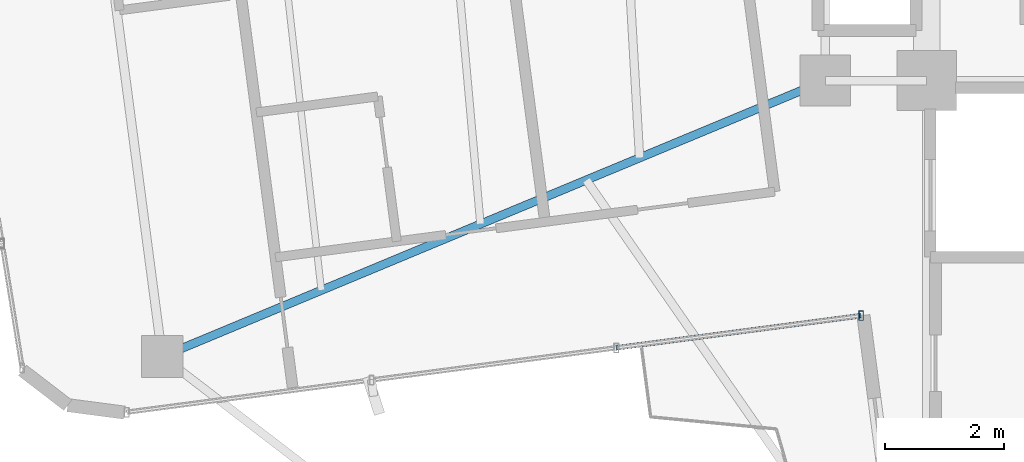
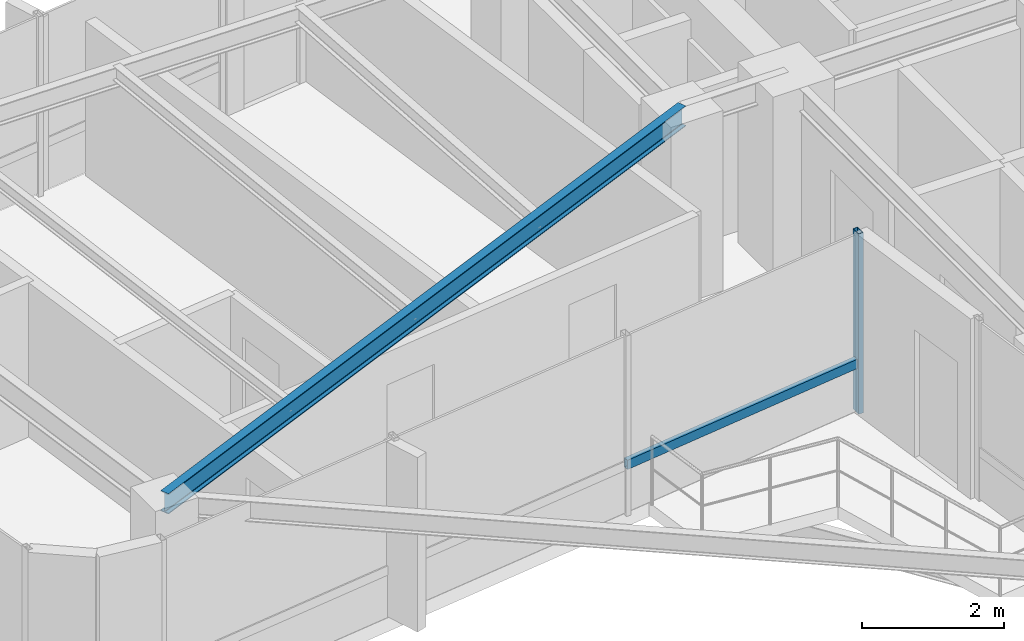
# One storey, part 3 of 21: 2 members, 1 beam, 1 element without a shape of its own.
"""IFC4 building model written with IfcOpenShell, lengths in metres."""

from ifc_helpers import new_model, si_unit, direction, frame, origin, origin_2d, place, context, subcontext, project, spatial, hollow_rectangle, i_section, extrude, source, transform, mapped, material, material_profile, profile_set, type_object, element, aggregate, save


model = new_model("IFC4")

# Units and contexts
model_context = context("Model", 3, precision=1e-05, world=origin(), true_north=direction((0.0, 1.0)))
body_context = subcontext(model_context, "Body", "Model", "MODEL_VIEW")
ifc_project = project(units=[si_unit("LENGTHUNIT", "METRE"), si_unit("AREAUNIT", "SQUARE_METRE"), si_unit("VOLUMEUNIT", "CUBIC_METRE"), si_unit("PLANEANGLEUNIT", "RADIAN"), si_unit("MASSUNIT", "GRAM", prefix="KILO")], contexts=[model_context])

# Site, building, storey
site_placement = place(None, origin())
site = spatial("IfcSite", under=ifc_project, at=site_placement, CompositionType="ELEMENT")
building_placement = place(site_placement, origin())
building = spatial("IfcBuilding", under=site, at=building_placement, Name="Sahyath Konkavel Grand Hotel", CompositionType="ELEMENT")
storey_placement = place(building_placement, frame((0.0, 0.0, 219.89990234375)))
storey = spatial("IfcBuildingStorey", under=building, at=storey_placement, Name="L61", CompositionType="ELEMENT", Elevation=219.89990234375)

# Beam
ifc_material_1 = material(Name="Steel E350", Category="steel")
ifc_material_profile_1 = material_profile(ifc_material_1, i_section(OverallWidth=0.139892578125, OverallDepth=0.35009765625, WebThickness=0.008056640625, FlangeThickness=0.01416015625, FilletRadius=0.013916015625, at=origin_2d()), Name="ISMB 350")
ifc_profile_set_1 = profile_set([ifc_material_profile_1], Name="Steel E350")
beam_type = type_object("IfcBeamType", Name="BM-ISMB350", PredefinedType="BEAM", material=ifc_profile_set_1)
shared_shape_1 = source(origin(), body_context, "Body", "SweptSolid", [
    extrude(i_section(OverallWidth=0.139892578125, OverallDepth=0.35009765625, WebThickness=0.008056640625, FlangeThickness=0.01416015625, FilletRadius=0.013916015625, at=origin_2d()), origin(), (0.0, 0.0, 1.0), 12.0361328125),
])
beam_placement = place(storey_placement, frame((-5.5, -2.39990234375, 2.93505859375), z_axis=(-0.923242469415, -0.384217832315, 0.0), x_axis=(0.384217832315, -0.923242469415, 0.0)))
element("IfcBeam", 1, at=beam_placement, inside=storey, type_object=beam_type, Name="L61 Cruciform Radial Girder WB", PredefinedType="BEAM", context=body_context, shape_type="MappedRepresentation", body=[
    mapped(shared_shape_1, transform((0.0, 0.0, 0.0), scale=1.0)),
])

# Curtain wall, members
ifc_material_2 = material(Name="Anodised Bronze Aluminium & Low-E Glazing", Category="aluminium")
curtain_wall_type = type_object("IfcCurtainWallType", Name="CW-ZONE4", PredefinedType="NOTDEFINED", material=ifc_material_2)
curtain_wall_placement = place(storey_placement, origin())
curtain_wall = element("IfcCurtainWall", 2, at=curtain_wall_placement, inside=storey, type_object=curtain_wall_type, Name="L61 Unitised Curtain Wall F23", PredefinedType="NOTDEFINED")
ifc_material_3 = material(Name="Anodised Bronze Aluminium", Category="aluminium")
ifc_material_profile_2 = material_profile(ifc_material_3, hollow_rectangle(XDim=0.080078125, YDim=0.159912109375, WallThickness=0.006103515625, at=origin_2d()), Name="RHS 160x80x6")
ifc_profile_set_2 = profile_set([ifc_material_profile_2], Name="Anodised Bronze Aluminium")
member_type_1 = type_object("IfcMemberType", Name="CW-MUL-160", PredefinedType="MULLION", material=ifc_profile_set_2)
shared_shape_2 = source(origin(), body_context, "Body", "SweptSolid", [
    extrude(hollow_rectangle(XDim=0.080078125, YDim=0.159912109375, WallThickness=0.006103515625, at=origin_2d()), origin(), (0.0, 0.0, 1.0), 3.110107421875),
])
member_1_placement = place(storey_placement, frame((-4.900390625, -6.33984375, 0.0), z_axis=(0.0, 0.0, 1.0), x_axis=(1.0, 0.0, 0.0)))
member_1 = element("IfcMember", 3, at=member_1_placement, type_object=member_type_1, Name="L61 Curtain Wall Mullion F23-3", PredefinedType="MULLION", context=body_context, shape_type="MappedRepresentation", body=[
    mapped(shared_shape_2, transform((0.0, 0.0, 0.0), scale=1.0)),
])
ifc_material_profile_3 = material_profile(ifc_material_3, hollow_rectangle(XDim=0.080078125, YDim=0.159912109375, WallThickness=0.006103515625, at=origin_2d()), Name="RHS 160x80x6")
ifc_profile_set_3 = profile_set([ifc_material_profile_3], Name="Anodised Bronze Aluminium")
member_type_2 = type_object("IfcMemberType", Name="CW-TRN-160", PredefinedType="USERDEFINED", material=ifc_profile_set_3)
shared_shape_3 = source(origin(), body_context, "Body", "SweptSolid", [
    extrude(hollow_rectangle(XDim=0.080078125, YDim=0.159912109375, WallThickness=0.006103515625, at=origin_2d()), origin(), (0.0, 0.0, 1.0), 4.136962890625),
])
member_2_placement = place(storey_placement, frame((-9.001953125, -6.8798828125, 0.85009765625), z_axis=(0.991443043354, 0.130540000708, 0.0), x_axis=(-0.130540000708, 0.991443043354, 0.0)))
member_2 = element("IfcMember", 4, at=member_2_placement, type_object=member_type_2, Name="L61 Curtain Wall Transom F23-2-spandrel", ObjectType="TRANSOM", PredefinedType="USERDEFINED", context=body_context, shape_type="MappedRepresentation", body=[
    mapped(shared_shape_3, transform((0.0, 0.0, 0.0), scale=1.0)),
])
aggregate(curtain_wall, [member_1, member_2])

save(model, "model.ifc")
